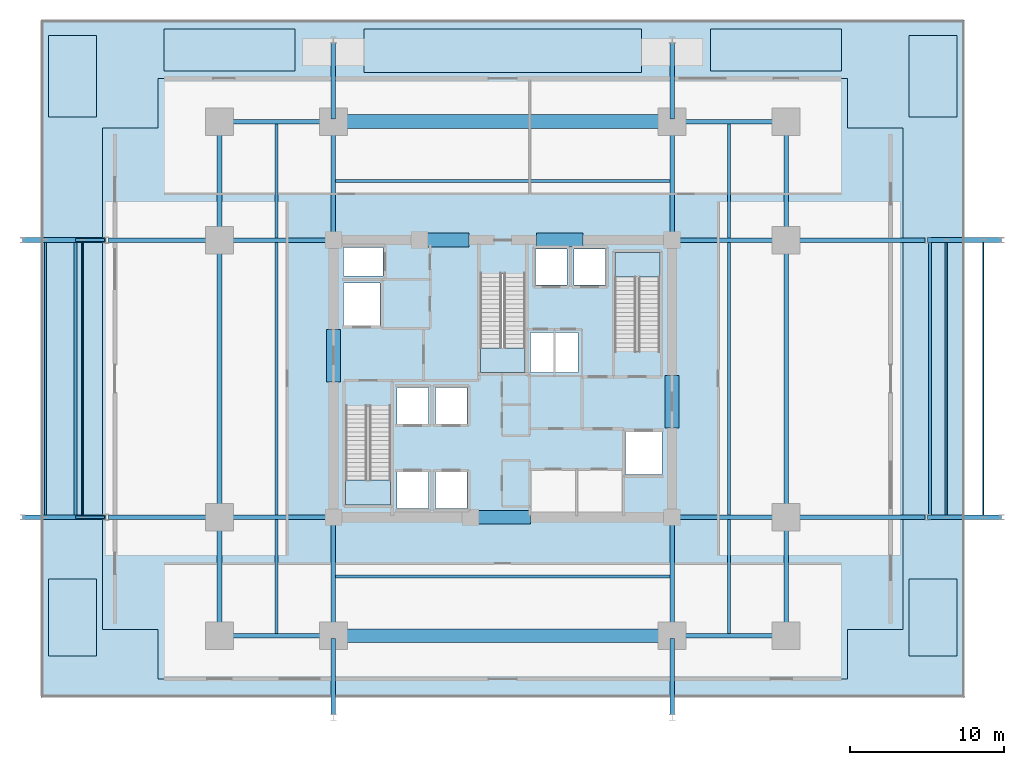
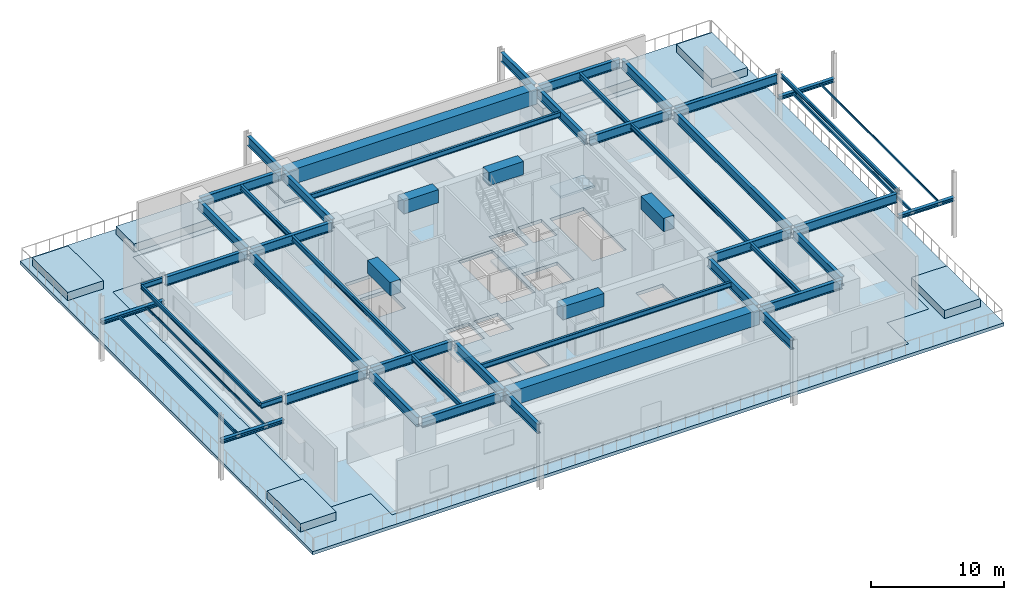
# One storey, part 3 of 14: 45 beams, 12 slabs, 8 members, 3 elements without a shape of their own.
"""IFC4 building model written with IfcOpenShell, lengths in metres."""

from ifc_helpers import new_model, si_unit, direction, frame, origin, origin_2d, place, context, subcontext, project, spatial, polyline, rectangle, hollow_rectangle, i_section, outline, extrude, material, layer, layer_set, material_profile, profile_set, type_object, element, aggregate, save


model = new_model("IFC4")

# Units and contexts
model_context = context("Model", 3, precision=1e-05, world=origin(), true_north=direction((0.0, 1.0)))
body_context = subcontext(model_context, "Body", "Model", "MODEL_VIEW")
ifc_project = project(units=[si_unit("LENGTHUNIT", "METRE"), si_unit("AREAUNIT", "SQUARE_METRE"), si_unit("VOLUMEUNIT", "CUBIC_METRE"), si_unit("PLANEANGLEUNIT", "RADIAN"), si_unit("MASSUNIT", "GRAM", prefix="KILO")], contexts=[model_context])

# Site, building, storey
site_placement = place(None, origin())
site = spatial("IfcSite", under=ifc_project, at=site_placement, CompositionType="ELEMENT")
building_placement = place(site_placement, origin())
building = spatial("IfcBuilding", under=site, at=building_placement, Name="Kovane Verandah Tower", CompositionType="ELEMENT")
storey_placement = place(building_placement, frame((0.0, 0.0, 21.60009765625)))
storey = spatial("IfcBuildingStorey", under=building, at=storey_placement, Name="L04", CompositionType="ELEMENT", Elevation=21.60009765625)

# Beams
ifc_material_1 = material(Name="Concrete C80/95", Category="concrete")
ifc_material_profile_1 = material_profile(ifc_material_1, rectangle(XDim=0.89990234375, YDim=1.199951171875, at=origin_2d()), Name="RCB900x1200")
ifc_profile_set_1 = profile_set([ifc_material_profile_1], Name="Concrete C80/95")
beam_type_1 = type_object("IfcBeamType", Name="BM-LINTEL-900x1200", PredefinedType="LINTEL", material=ifc_profile_set_1)
beam_1_placement = place(storey_placement, frame((38.199951171875, 18.5, 5.159912109375), z_axis=(1.0, 0.0, 0.0), x_axis=(0.0, 1.0, 0.0)))
element("IfcBeam", 1, at=beam_1_placement, inside=storey, type_object=beam_type_1, Name="L04 Core Coupling Lintel CL-S", PredefinedType="LINTEL", context=body_context, shape_type="SweptSolid", body=[
    extrude(rectangle(XDim=0.89990234375, YDim=1.199951171875, at=origin_2d()), origin(), (0.0, 0.0, 1.0), 3.60009765625),
])
for number, where, z_axis, x_axis, name in (
    (2, (34.800048828125, 36.5, 5.159912109375), (1.0, 0.0, 0.0), (0.0, 1.0, 0.0), "L04 Core Coupling Lintel CL-N1"),
    (3, (42.199951171875, 36.5, 5.159912109375), (1.0, 0.0, 0.0), (0.0, 1.0, 0.0), "L04 Core Coupling Lintel CL-N2"),
):
    element("IfcBeam", number, at=place(storey_placement, frame(where, z_axis=z_axis, x_axis=x_axis)), inside=storey, type_object=beam_type_1, Name=name, PredefinedType="LINTEL", context=body_context, shape_type="SweptSolid", body=[
        extrude(rectangle(XDim=0.89990234375, YDim=1.199951171875, at=origin_2d()), origin(), (0.0, 0.0, 1.0), 3.0),
    ])
for number, where, z_axis, x_axis, name in (
    (4, (29.0, 27.300048828125, 5.159912109375), (0.0, 1.0, 0.0), (-1.0, 0.0, 0.0), "L04 Core Coupling Lintel CL-W"),
    (5, (51.0, 24.300048828125, 5.159912109375), (0.0, 1.0, 0.0), (-1.0, 0.0, 0.0), "L04 Core Coupling Lintel CL-E"),
):
    element("IfcBeam", number, at=place(storey_placement, frame(where, z_axis=z_axis, x_axis=x_axis)), inside=storey, type_object=beam_type_1, Name=name, PredefinedType="LINTEL", context=body_context, shape_type="SweptSolid", body=[
        extrude(rectangle(XDim=0.89990234375, YDim=1.199951171875, at=origin_2d()), origin(), (0.0, 0.0, 1.0), 3.39990234375),
    ])
ifc_material_profile_2 = material_profile(ifc_material_1, rectangle(XDim=0.89990234375, YDim=1.35009765625, at=origin_2d()), Name="RCB900x1350")
ifc_profile_set_2 = profile_set([ifc_material_profile_2], Name="Concrete C80/95")
beam_type_2 = type_object("IfcBeamType", Name="BM-TR-900x1350", PredefinedType="BEAM", material=ifc_profile_set_2)
for number, where, z_axis, x_axis, name in (
    (6, (29.179931640625, 44.199951171875, 5.0849609375), (1.0, 0.0, 0.0), (0.0, 1.0, 0.0), "L04 Primary Tower Girder G-RN2"),
    (7, (29.179931640625, 10.800048828125, 5.0849609375), (1.0, 0.0, 0.0), (0.0, 1.0, 0.0), "L04 Primary Tower Girder G-RS2"),
):
    element("IfcBeam", number, at=place(storey_placement, frame(where, z_axis=z_axis, x_axis=x_axis)), inside=storey, type_object=beam_type_2, Name=name, PredefinedType="BEAM", context=body_context, shape_type="SweptSolid", body=[
        extrude(rectangle(XDim=0.89990234375, YDim=1.35009765625, at=origin_2d()), origin(), (0.0, 0.0, 1.0), 21.64013671875),
    ])
ifc_material_2 = material(Name="Steel S355", Category="steel")
ifc_material_profile_3 = material_profile(ifc_material_2, i_section(OverallWidth=0.293701171875, OverallDepth=0.850830078125, WebThickness=0.01611328125, FlangeThickness=0.02685546875, FilletRadius=0.017822265625, at=origin_2d()), Name="UB838x292x226")
ifc_profile_set_3 = profile_set([ifc_material_profile_3], Name="Steel S355")
beam_type_3 = type_object("IfcBeamType", Name="BM-UB838x226", PredefinedType="BEAM", material=ifc_profile_set_3)
for number, where, z_axis, x_axis, name in (
    (8, (21.780029296875, 44.199951171875, 5.33447265625), (1.0, 0.0, 0.0), (0.0, 1.0, 0.0), "L04 Primary Tower Girder G-RN1"),
    (9, (51.179931640625, 44.199951171875, 5.33447265625), (1.0, 0.0, 0.0), (0.0, 1.0, 0.0), "L04 Primary Tower Girder G-RN3"),
    (10, (21.780029296875, 10.800048828125, 5.33447265625), (1.0, 0.0, 0.0), (0.0, 1.0, 0.0), "L04 Primary Tower Girder G-RS1"),
    (11, (51.179931640625, 10.800048828125, 5.33447265625), (1.0, 0.0, 0.0), (0.0, 1.0, 0.0), "L04 Primary Tower Girder G-RS3"),
):
    element("IfcBeam", number, at=place(storey_placement, frame(where, z_axis=z_axis, x_axis=x_axis)), inside=storey, type_object=beam_type_3, Name=name, PredefinedType="BEAM", context=body_context, shape_type="SweptSolid", body=[
        extrude(i_section(OverallWidth=0.293701171875, OverallDepth=0.850830078125, WebThickness=0.01611328125, FlangeThickness=0.02685546875, FilletRadius=0.017822265625, at=origin_2d()), origin(), (0.0, 0.0, 1.0), 7.0400390625),
    ])
beam_2_placement = place(storey_placement, frame((21.60009765625, 10.97998046875, 5.33447265625), z_axis=(0.0, 1.0, 0.0), x_axis=(-1.0, 0.0, 0.0)))
element("IfcBeam", 12, at=beam_2_placement, inside=storey, type_object=beam_type_3, Name="L04 Primary Tower Girder G-RW1", PredefinedType="BEAM", context=body_context, shape_type="SweptSolid", body=[
    extrude(i_section(OverallWidth=0.293701171875, OverallDepth=0.850830078125, WebThickness=0.01611328125, FlangeThickness=0.02685546875, FilletRadius=0.017822265625, at=origin_2d()), origin(), (0.0, 0.0, 1.0), 7.340087890625),
])
beam_3_placement = place(storey_placement, frame((21.60009765625, 18.679931640625, 5.33447265625), z_axis=(0.0, 1.0, 0.0), x_axis=(-1.0, 0.0, 0.0)))
element("IfcBeam", 13, at=beam_3_placement, inside=storey, type_object=beam_type_3, Name="L04 Primary Tower Girder G-RW2", PredefinedType="BEAM", context=body_context, shape_type="SweptSolid", body=[
    extrude(i_section(OverallWidth=0.293701171875, OverallDepth=0.850830078125, WebThickness=0.01611328125, FlangeThickness=0.02685546875, FilletRadius=0.017822265625, at=origin_2d()), origin(), (0.0, 0.0, 1.0), 17.64013671875),
])
for number, where, z_axis, x_axis, name in (
    (14, (21.60009765625, 36.679931640625, 5.33447265625), (0.0, 1.0, 0.0), (-1.0, 0.0, 0.0), "L04 Primary Tower Girder G-RW3"),
    (15, (58.39990234375, 10.97998046875, 5.33447265625), (0.0, 1.0, 0.0), (-1.0, 0.0, 0.0), "L04 Primary Tower Girder G-RE1"),
):
    element("IfcBeam", number, at=place(storey_placement, frame(where, z_axis=z_axis, x_axis=x_axis)), inside=storey, type_object=beam_type_3, Name=name, PredefinedType="BEAM", context=body_context, shape_type="SweptSolid", body=[
        extrude(i_section(OverallWidth=0.293701171875, OverallDepth=0.850830078125, WebThickness=0.01611328125, FlangeThickness=0.02685546875, FilletRadius=0.017822265625, at=origin_2d()), origin(), (0.0, 0.0, 1.0), 7.340087890625),
    ])
beam_4_placement = place(storey_placement, frame((58.39990234375, 18.679931640625, 5.33447265625), z_axis=(0.0, 1.0, 0.0), x_axis=(-1.0, 0.0, 0.0)))
element("IfcBeam", 16, at=beam_4_placement, inside=storey, type_object=beam_type_3, Name="L04 Primary Tower Girder G-RE2", PredefinedType="BEAM", context=body_context, shape_type="SweptSolid", body=[
    extrude(i_section(OverallWidth=0.293701171875, OverallDepth=0.850830078125, WebThickness=0.01611328125, FlangeThickness=0.02685546875, FilletRadius=0.017822265625, at=origin_2d()), origin(), (0.0, 0.0, 1.0), 17.64013671875),
])
beam_5_placement = place(storey_placement, frame((58.39990234375, 36.679931640625, 5.33447265625), z_axis=(0.0, 1.0, 0.0), x_axis=(-1.0, 0.0, 0.0)))
element("IfcBeam", 17, at=beam_5_placement, inside=storey, type_object=beam_type_3, Name="L04 Primary Tower Girder G-RE3", PredefinedType="BEAM", context=body_context, shape_type="SweptSolid", body=[
    extrude(i_section(OverallWidth=0.293701171875, OverallDepth=0.850830078125, WebThickness=0.01611328125, FlangeThickness=0.02685546875, FilletRadius=0.017822265625, at=origin_2d()), origin(), (0.0, 0.0, 1.0), 7.340087890625),
])
for number, where, z_axis, x_axis, name in (
    (18, (28.820068359375, 18.5, 5.33447265625), (-1.0, 0.0, 0.0), (0.0, -1.0, 0.0), "L04 Primary Tower Girder G-W1"),
    (19, (28.820068359375, 36.5, 5.33447265625), (-1.0, 0.0, 0.0), (0.0, -1.0, 0.0), "L04 Primary Tower Girder G-W2"),
    (20, (51.179931640625, 18.5, 5.33447265625), (1.0, 0.0, 0.0), (0.0, 1.0, 0.0), "L04 Primary Tower Girder G-E1"),
    (21, (51.179931640625, 36.5, 5.33447265625), (1.0, 0.0, 0.0), (0.0, 1.0, 0.0), "L04 Primary Tower Girder G-E2"),
):
    element("IfcBeam", number, at=place(storey_placement, frame(where, z_axis=z_axis, x_axis=x_axis)), inside=storey, type_object=beam_type_3, Name=name, PredefinedType="BEAM", context=body_context, shape_type="SweptSolid", body=[
        extrude(i_section(OverallWidth=0.293701171875, OverallDepth=0.850830078125, WebThickness=0.01611328125, FlangeThickness=0.02685546875, FilletRadius=0.017822265625, at=origin_2d()), origin(), (0.0, 0.0, 1.0), 7.0400390625),
    ])
for number, where, z_axis, x_axis, name in (
    (22, (29.0, 18.320068359375, 5.33447265625), (0.0, -1.0, 0.0), (1.0, 0.0, 0.0), "L04 Primary Tower Girder G-S1"),
    (23, (51.0, 18.320068359375, 5.33447265625), (0.0, -1.0, 0.0), (1.0, 0.0, 0.0), "L04 Primary Tower Girder G-S2"),
    (24, (29.0, 36.679931640625, 5.33447265625), (0.0, 1.0, 0.0), (-1.0, 0.0, 0.0), "L04 Primary Tower Girder G-N1"),
    (25, (51.0, 36.679931640625, 5.33447265625), (0.0, 1.0, 0.0), (-1.0, 0.0, 0.0), "L04 Primary Tower Girder G-N2"),
):
    element("IfcBeam", number, at=place(storey_placement, frame(where, z_axis=z_axis, x_axis=x_axis)), inside=storey, type_object=beam_type_3, Name=name, PredefinedType="BEAM", context=body_context, shape_type="SweptSolid", body=[
        extrude(i_section(OverallWidth=0.293701171875, OverallDepth=0.850830078125, WebThickness=0.01611328125, FlangeThickness=0.02685546875, FilletRadius=0.017822265625, at=origin_2d()), origin(), (0.0, 0.0, 1.0), 7.340087890625),
    ])
for number, where, z_axis, x_axis, name in (
    (26, (21.419921875, 18.5, 5.33447265625), (-1.0, 0.0, 0.0), (0.0, -1.0, 0.0), "L04 Primary Tower Girder G-VW1"),
    (27, (21.419921875, 36.5, 5.33447265625), (-1.0, 0.0, 0.0), (0.0, -1.0, 0.0), "L04 Primary Tower Girder G-VW2"),
):
    element("IfcBeam", number, at=place(storey_placement, frame(where, z_axis=z_axis, x_axis=x_axis)), inside=storey, type_object=beam_type_3, Name=name, PredefinedType="BEAM", context=body_context, shape_type="SweptSolid", body=[
        extrude(i_section(OverallWidth=0.293701171875, OverallDepth=0.850830078125, WebThickness=0.01611328125, FlangeThickness=0.02685546875, FilletRadius=0.017822265625, at=origin_2d()), origin(), (0.0, 0.0, 1.0), 7.0400390625),
    ])
for number, where, z_axis, x_axis, name in (
    (28, (58.580078125, 18.5, 5.33447265625), (1.0, 0.0, 0.0), (0.0, 1.0, 0.0), "L04 Primary Tower Girder G-VE1"),
    (29, (58.580078125, 36.5, 5.33447265625), (1.0, 0.0, 0.0), (0.0, 1.0, 0.0), "L04 Primary Tower Girder G-VE2"),
):
    element("IfcBeam", number, at=place(storey_placement, frame(where, z_axis=z_axis, x_axis=x_axis)), inside=storey, type_object=beam_type_3, Name=name, PredefinedType="BEAM", context=body_context, shape_type="SweptSolid", body=[
        extrude(i_section(OverallWidth=0.293701171875, OverallDepth=0.850830078125, WebThickness=0.01611328125, FlangeThickness=0.02685546875, FilletRadius=0.017822265625, at=origin_2d()), origin(), (0.0, 0.0, 1.0), 8.83984375),
    ])
for number, where, z_axis, x_axis, name in (
    (30, (29.0, 10.6201171875, 5.33447265625), (0.0, -1.0, 0.0), (1.0, 0.0, 0.0), "L04 Primary Tower Girder G-VS1"),
    (31, (51.0, 10.6201171875, 5.33447265625), (0.0, -1.0, 0.0), (1.0, 0.0, 0.0), "L04 Primary Tower Girder G-VS2"),
    (32, (29.0, 44.3798828125, 5.33447265625), (0.0, 1.0, 0.0), (-1.0, 0.0, 0.0), "L04 Primary Tower Girder G-VN1"),
    (33, (51.0, 44.3798828125, 5.33447265625), (0.0, 1.0, 0.0), (-1.0, 0.0, 0.0), "L04 Primary Tower Girder G-VN2"),
):
    element("IfcBeam", number, at=place(storey_placement, frame(where, z_axis=z_axis, x_axis=x_axis)), inside=storey, type_object=beam_type_3, Name=name, PredefinedType="BEAM", context=body_context, shape_type="SweptSolid", body=[
        extrude(i_section(OverallWidth=0.293701171875, OverallDepth=0.850830078125, WebThickness=0.01611328125, FlangeThickness=0.02685546875, FilletRadius=0.017822265625, at=origin_2d()), origin(), (0.0, 0.0, 1.0), 4.940185546875),
    ])
ifc_material_profile_4 = material_profile(ifc_material_2, i_section(OverallWidth=0.19287109375, OverallDepth=0.46728515625, WebThickness=0.011474609375, FlangeThickness=0.01953125, FilletRadius=0.01025390625, at=origin_2d()), Name="UB457x191x98")
ifc_profile_set_4 = profile_set([ifc_material_profile_4], Name="Steel S355")
beam_type_4 = type_object("IfcBeamType", Name="JST-UB457x98", PredefinedType="JOIST", material=ifc_profile_set_4)
for number, where, z_axis, x_axis, name in (
    (34, (29.14501953125, 40.35009765625, 5.5263671875), (1.0, 0.0, 0.0), (0.0, 1.0, 0.0), "L04 Secondary Composite Joist J-N1"),
    (35, (29.14501953125, 14.64990234375, 5.5263671875), (1.0, 0.0, 0.0), (0.0, 1.0, 0.0), "L04 Secondary Composite Joist J-S1"),
):
    element("IfcBeam", number, at=place(storey_placement, frame(where, z_axis=z_axis, x_axis=x_axis)), inside=storey, type_object=beam_type_4, Name=name, PredefinedType="JOIST", context=body_context, shape_type="SweptSolid", body=[
        extrude(i_section(OverallWidth=0.19287109375, OverallDepth=0.46728515625, WebThickness=0.011474609375, FlangeThickness=0.01953125, FilletRadius=0.01025390625, at=origin_2d()), origin(), (0.0, 0.0, 1.0), 21.7099609375),
    ])
for number, where, z_axis, x_axis, name in (
    (36, (25.300048828125, 18.64501953125, 5.5263671875), (0.0, 1.0, 0.0), (-1.0, 0.0, 0.0), "L04 Secondary Composite Joist J-W1"),
    (37, (54.699951171875, 18.64501953125, 5.5263671875), (0.0, 1.0, 0.0), (-1.0, 0.0, 0.0), "L04 Secondary Composite Joist J-E1"),
):
    element("IfcBeam", number, at=place(storey_placement, frame(where, z_axis=z_axis, x_axis=x_axis)), inside=storey, type_object=beam_type_4, Name=name, PredefinedType="JOIST", context=body_context, shape_type="SweptSolid", body=[
        extrude(i_section(OverallWidth=0.19287109375, OverallDepth=0.46728515625, WebThickness=0.011474609375, FlangeThickness=0.01953125, FilletRadius=0.01025390625, at=origin_2d()), origin(), (0.0, 0.0, 1.0), 17.7099609375),
    ])
for number, where, z_axis, x_axis, name in (
    (38, (25.300048828125, 10.94482421875, 5.5263671875), (0.0, 1.0, 0.0), (-1.0, 0.0, 0.0), "L04 Secondary Composite Joist J-SW1"),
    (39, (54.699951171875, 10.94482421875, 5.5263671875), (0.0, 1.0, 0.0), (-1.0, 0.0, 0.0), "L04 Secondary Composite Joist J-SE1"),
    (40, (25.300048828125, 36.64501953125, 5.5263671875), (0.0, 1.0, 0.0), (-1.0, 0.0, 0.0), "L04 Secondary Composite Joist J-NW1"),
    (41, (54.699951171875, 36.64501953125, 5.5263671875), (0.0, 1.0, 0.0), (-1.0, 0.0, 0.0), "L04 Secondary Composite Joist J-NE1"),
):
    element("IfcBeam", number, at=place(storey_placement, frame(where, z_axis=z_axis, x_axis=x_axis)), inside=storey, type_object=beam_type_4, Name=name, PredefinedType="JOIST", context=body_context, shape_type="SweptSolid", body=[
        extrude(i_section(OverallWidth=0.19287109375, OverallDepth=0.46728515625, WebThickness=0.011474609375, FlangeThickness=0.01953125, FilletRadius=0.01025390625, at=origin_2d()), origin(), (0.0, 0.0, 1.0), 7.41015625),
    ])
for number, where, z_axis, x_axis, name in (
    (42, (14.1201171875, 18.5, 5.5263671875), (-1.0, 0.0, 0.0), (0.0, -1.0, 0.0), "L04 West Planter Girder 1"),
    (43, (14.1201171875, 36.5, 5.5263671875), (-1.0, 0.0, 0.0), (0.0, -1.0, 0.0), "L04 West Planter Girder 2"),
):
    element("IfcBeam", number, at=place(storey_placement, frame(where, z_axis=z_axis, x_axis=x_axis)), inside=storey, type_object=beam_type_4, Name=name, PredefinedType="JOIST", context=body_context, shape_type="SweptSolid", body=[
        extrude(i_section(OverallWidth=0.19287109375, OverallDepth=0.46728515625, WebThickness=0.011474609375, FlangeThickness=0.01953125, FilletRadius=0.01025390625, at=origin_2d()), origin(), (0.0, 0.0, 1.0), 1.8701171875),
    ])

# Members
ifc_material_profile_5 = material_profile(ifc_material_2, i_section(OverallWidth=0.314453125, OverallDepth=0.33984375, WebThickness=0.01904296875, FlangeThickness=0.031494140625, FilletRadius=0.01513671875, at=origin_2d()), Name="UC305x305x198")
ifc_profile_set_5 = profile_set([ifc_material_profile_5], Name="Steel S355")
member_type_1 = type_object("IfcMemberType", Name="MEM-CHORD-UC198", PredefinedType="CHORD", material=ifc_profile_set_5)
for number, where, z_axis, x_axis, name in (
    (44, (8.800048828125, 18.5, 3.5), (1.0, 0.0, 0.0), (0.0, 1.0, 0.0), "L04 Garden Pergola Chord W1"),
    (45, (8.800048828125, 36.5, 3.5), (1.0, 0.0, 0.0), (0.0, 1.0, 0.0), "L04 Garden Pergola Chord W2"),
):
    element("IfcMember", number, at=place(storey_placement, frame(where, z_axis=z_axis, x_axis=x_axis)), inside=storey, type_object=member_type_1, Name=name, PredefinedType="CHORD", context=body_context, shape_type="SweptSolid", body=[
        extrude(i_section(OverallWidth=0.314453125, OverallDepth=0.33984375, WebThickness=0.01904296875, FlangeThickness=0.031494140625, FilletRadius=0.01513671875, at=origin_2d()), origin(), (0.0, 0.0, 1.0), 5.39990234375),
    ])
for number, where, z_axis, x_axis, name in (
    (46, (67.60009765625, 18.5, 3.5), (1.0, 0.0, 0.0), (0.0, 1.0, 0.0), "L04 Garden Pergola Chord E1"),
    (47, (67.60009765625, 36.5, 3.5), (1.0, 0.0, 0.0), (0.0, 1.0, 0.0), "L04 Garden Pergola Chord E2"),
):
    element("IfcMember", number, at=place(storey_placement, frame(where, z_axis=z_axis, x_axis=x_axis)), inside=storey, type_object=member_type_1, Name=name, PredefinedType="CHORD", context=body_context, shape_type="SweptSolid", body=[
        extrude(i_section(OverallWidth=0.314453125, OverallDepth=0.33984375, WebThickness=0.01904296875, FlangeThickness=0.031494140625, FilletRadius=0.01513671875, at=origin_2d()), origin(), (0.0, 0.0, 1.0), 4.7998046875),
    ])
ifc_material_profile_6 = material_profile(ifc_material_2, hollow_rectangle(XDim=0.10009765625, YDim=0.199951171875, WallThickness=0.008056640625, InnerFilletRadius=0.008056640625, OuterFilletRadius=0.01611328125, at=origin_2d()), Name="RHS200x100x8")
ifc_profile_set_6 = profile_set([ifc_material_profile_6], Name="Steel S355")
member_type_2 = type_object("IfcMemberType", Name="MEM-PUR-RHS200", PredefinedType="PURLIN", material=ifc_profile_set_6)
for number, where, z_axis, x_axis, name in (
    (48, (12.699951171875, 18.5, 3.5), (0.0, 1.0, 0.0), (-1.0, 0.0, 0.0), "L04 Garden Pergola Purlin W2"),
    (49, (71.199951171875, 18.5, 3.5), (0.0, 1.0, 0.0), (-1.0, 0.0, 0.0), "L04 Garden Pergola Purlin E2"),
):
    element("IfcMember", number, at=place(storey_placement, frame(where, z_axis=z_axis, x_axis=x_axis)), inside=storey, type_object=member_type_2, Name=name, PredefinedType="PURLIN", context=body_context, shape_type="SweptSolid", body=[
        extrude(hollow_rectangle(XDim=0.10009765625, YDim=0.199951171875, WallThickness=0.008056640625, InnerFilletRadius=0.008056640625, OuterFilletRadius=0.01611328125, at=origin_2d()), origin(), (0.0, 0.0, 1.0), 18.0),
    ])
ifc_material_profile_7 = material_profile(ifc_material_2, hollow_rectangle(XDim=0.14990234375, YDim=0.25, WallThickness=0.010009765625, InnerFilletRadius=0.010009765625, OuterFilletRadius=0.02001953125, at=origin_2d()), Name="RHS250x150x10")
ifc_profile_set_7 = profile_set([ifc_material_profile_7], Name="Steel S355")
member_type_3 = type_object("IfcMemberType", Name="MEM-PUR-RHS250", PredefinedType="PURLIN", material=ifc_profile_set_7)
for number, where, z_axis, x_axis, name in (
    (50, (10.300048828125, 18.5, 3.5), (0.0, 1.0, 0.0), (-1.0, 0.0, 0.0), "L04 Garden Pergola Purlin W1"),
    (51, (68.800048828125, 18.5, 3.5), (0.0, 1.0, 0.0), (-1.0, 0.0, 0.0), "L04 Garden Pergola Purlin E1"),
):
    element("IfcMember", number, at=place(storey_placement, frame(where, z_axis=z_axis, x_axis=x_axis)), inside=storey, type_object=member_type_3, Name=name, PredefinedType="PURLIN", context=body_context, shape_type="SweptSolid", body=[
        extrude(hollow_rectangle(XDim=0.14990234375, YDim=0.25, WallThickness=0.010009765625, InnerFilletRadius=0.010009765625, OuterFilletRadius=0.02001953125, at=origin_2d()), origin(), (0.0, 0.0, 1.0), 18.0),
    ])

# Beams
ifc_material_profile_8 = material_profile(ifc_material_2, i_section(OverallWidth=0.173095703125, OverallDepth=0.36328125, WebThickness=0.009033203125, FlangeThickness=0.015625, FilletRadius=0.01025390625, at=origin_2d()), Name="UB356x171x67")
ifc_profile_set_8 = profile_set([ifc_material_profile_8], Name="Steel S355")
beam_type_5 = type_object("IfcBeamType", Name="SPD-UB356x67", PredefinedType="USERDEFINED", material=ifc_profile_set_8)
for number, where, z_axis, x_axis, name in (
    (52, (67.75, 18.594482421875, 5.578125), (0.0, 1.0, 0.0), (-1.0, 0.0, 0.0), "L04 East Planter Edge Spandrel"),
    (53, (12.25, 18.594482421875, 5.578125), (0.0, 1.0, 0.0), (-1.0, 0.0, 0.0), "L04 West Planter Edge Spandrel"),
):
    element("IfcBeam", number, at=place(storey_placement, frame(where, z_axis=z_axis, x_axis=x_axis)), inside=storey, type_object=beam_type_5, Name=name, ObjectType="SPANDREL", PredefinedType="USERDEFINED", context=body_context, shape_type="SweptSolid", body=[
        extrude(i_section(OverallWidth=0.173095703125, OverallDepth=0.36328125, WebThickness=0.009033203125, FlangeThickness=0.015625, FilletRadius=0.01025390625, at=origin_2d()), origin(), (0.0, 0.0, 1.0), 17.81103515625),
    ])

# Slabs
ifc_material_3 = material(Name="Concrete C45/55", Category="concrete")
ifc_layer_1 = layer(ifc_material_3, 0.300048828125)
ifc_layer_set_1 = layer_set([ifc_layer_1], Name="Concrete C45/55")
slab_type_1 = type_object("IfcSlabType", Name="SL-GDN-300", PredefinedType="ROOF", material=ifc_layer_set_1)
slab_1_placement = place(storey_placement, frame((0.0, 0.0, -0.300048828125)))
element("IfcSlab", 54, at=slab_1_placement, inside=storey, type_object=slab_type_1, Name="L04 Raised Public Garden Terrace Deck", PredefinedType="ROOF", context=body_context, shape_type="SweptSolid", body=[
    extrude(outline(polyline([(10.0, 6.800048828125), (70.0, 6.800048828125), (70.0, 50.800048828125), (10.0, 50.800048828125), (10.0, 6.800048828125)]), holes=[polyline([(17.60009765625, 11.199951171875), (14.0, 11.199951171875), (14.0, 43.800048828125), (17.60009765625, 43.800048828125), (17.60009765625, 47.0), (62.39990234375, 47.0), (62.39990234375, 43.800048828125), (66.0, 43.800048828125), (66.0, 11.199951171875), (62.39990234375, 11.199951171875), (62.39990234375, 8.0), (17.60009765625, 8.0), (17.60009765625, 11.199951171875)])]), origin(), (0.0, 0.0, 1.0), 0.300048828125),
])
ifc_material_4 = material(Name="Concrete C60/75", Category="concrete")
ifc_layer_2 = layer(ifc_material_4, 0.300048828125)
ifc_layer_set_2 = layer_set([ifc_layer_2], Name="Concrete C60/75")
slab_type_2 = type_object("IfcSlabType", Name="SL-HVY-300", PredefinedType="FLOOR", material=ifc_layer_set_2)
slab_2_placement = place(storey_placement, frame((0.0, 0.0, -0.300048828125)))
element("IfcSlab", 55, at=slab_2_placement, inside=storey, type_object=slab_type_2, Name="L04 Structural Floor Slab", PredefinedType="FLOOR", context=body_context, shape_type="SweptSolid", body=[
    extrude(outline(polyline([(17.60009765625, 8.0), (62.39990234375, 8.0), (62.39990234375, 11.199951171875), (66.0, 11.199951171875), (66.0, 43.800048828125), (62.39990234375, 43.800048828125), (62.39990234375, 47.0), (17.60009765625, 47.0), (17.60009765625, 43.800048828125), (14.0, 43.800048828125), (14.0, 11.199951171875), (17.60009765625, 11.199951171875), (17.60009765625, 8.0)]), holes=[polyline([(29.800048828125, 19.300048828125), (32.719970703125, 19.300048828125), (32.719970703125, 25.705078125), (29.800048828125, 25.705078125), (29.800048828125, 19.300048828125)]), polyline([(47.280029296875, 29.294921875), (50.199951171875, 29.294921875), (50.199951171875, 35.699951171875), (47.280029296875, 35.699951171875), (47.280029296875, 29.294921875)]), polyline([(38.5400390625, 27.89990234375), (41.4599609375, 27.89990234375), (41.4599609375, 34.304931640625), (38.5400390625, 34.304931640625), (38.5400390625, 27.89990234375)]), polyline([(29.669921875, 30.969970703125), (32.030029296875, 30.969970703125), (32.030029296875, 33.72998046875), (29.669921875, 33.72998046875), (29.669921875, 30.969970703125)]), polyline([(47.969970703125, 21.27001953125), (50.330078125, 21.27001953125), (50.330078125, 24.030029296875), (47.969970703125, 24.030029296875), (47.969970703125, 21.27001953125)]), polyline([(29.669921875, 34.169921875), (32.22998046875, 34.169921875), (32.22998046875, 36.030029296875), (29.669921875, 36.030029296875), (29.669921875, 34.169921875)]), polyline([(33.1201171875, 19.070068359375), (35.179931640625, 19.070068359375), (35.179931640625, 21.429931640625), (33.1201171875, 21.429931640625), (33.1201171875, 19.070068359375)]), polyline([(35.6201171875, 19.070068359375), (37.679931640625, 19.070068359375), (37.679931640625, 21.429931640625), (35.6201171875, 21.429931640625), (35.6201171875, 19.070068359375)]), polyline([(33.1201171875, 24.570068359375), (35.179931640625, 24.570068359375), (35.179931640625, 26.929931640625), (33.1201171875, 26.929931640625), (33.1201171875, 24.570068359375)]), polyline([(35.6201171875, 24.570068359375), (37.679931640625, 24.570068359375), (37.679931640625, 26.929931640625), (35.6201171875, 26.929931640625), (35.6201171875, 24.570068359375)]), polyline([(42.1201171875, 33.570068359375), (44.179931640625, 33.570068359375), (44.179931640625, 35.929931640625), (42.1201171875, 35.929931640625), (42.1201171875, 33.570068359375)]), polyline([(44.6201171875, 33.570068359375), (46.679931640625, 33.570068359375), (46.679931640625, 35.929931640625), (44.6201171875, 35.929931640625), (44.6201171875, 33.570068359375)]), polyline([(41.800048828125, 27.89990234375), (44.89990234375, 27.89990234375), (44.89990234375, 30.5), (41.800048828125, 30.5), (41.800048828125, 27.89990234375)])]), origin(), (0.0, 0.0, 1.0), 0.300048828125),
])

# Stair, slab
stair_type = type_object("IfcStairType", Name="ST-CORE-1380", PredefinedType="HALF_TURN_STAIR", material=ifc_material_3)
stair_1_placement = place(storey_placement, origin())
stair_1 = element("IfcStair", 56, at=stair_1_placement, inside=storey, type_object=stair_type, Name="L04 Exit Stair ST-01", PredefinedType="HALF_TURN_STAIR")
ifc_layer_3 = layer(ifc_material_3, 0.199951171875)
ifc_layer_set_3 = layer_set([ifc_layer_3], Name="Concrete C45/55")
slab_type_3 = type_object("IfcSlabType", Name="SL-LAND-200", PredefinedType="LANDING", material=ifc_layer_set_3)
slab_3_placement = place(storey_placement, frame((0.0, 0.0, 2.7998046875)))
slab_3 = element("IfcSlab", 57, at=slab_3_placement, type_object=slab_type_3, Name="ST-01 landing 1", PredefinedType="LANDING", context=body_context, shape_type="SweptSolid", body=[
    extrude(outline(polyline([(29.800048828125, 20.905029296875), (29.800048828125, 19.300048828125), (32.719970703125, 19.300048828125), (32.719970703125, 20.905029296875), (29.800048828125, 20.905029296875)])), origin(), (0.0, 0.0, 1.0), 0.2001953125),
])
aggregate(stair_1, [slab_3])

stair_2_placement = place(storey_placement, origin())
stair_2 = element("IfcStair", 58, at=stair_2_placement, inside=storey, type_object=stair_type, Name="L04 Exit Stair ST-02", PredefinedType="HALF_TURN_STAIR")
slab_4_placement = place(storey_placement, frame((0.0, 0.0, 2.7998046875)))
slab_4 = element("IfcSlab", 59, at=slab_4_placement, type_object=slab_type_3, Name="ST-02 landing 1", PredefinedType="LANDING", context=body_context, shape_type="SweptSolid", body=[
    extrude(outline(polyline([(50.199951171875, 34.094970703125), (50.199951171875, 35.699951171875), (47.280029296875, 35.699951171875), (47.280029296875, 34.094970703125), (50.199951171875, 34.094970703125)])), origin(), (0.0, 0.0, 1.0), 0.2001953125),
])
aggregate(stair_2, [slab_4])

stair_3_placement = place(storey_placement, origin())
stair_3 = element("IfcStair", 60, at=stair_3_placement, inside=storey, type_object=stair_type, Name="L04 Exit Stair ST-03", PredefinedType="HALF_TURN_STAIR")
slab_5_placement = place(storey_placement, frame((0.0, 0.0, 2.7998046875)))
slab_5 = element("IfcSlab", 61, at=slab_5_placement, type_object=slab_type_3, Name="ST-03 landing 1", PredefinedType="LANDING", context=body_context, shape_type="SweptSolid", body=[
    extrude(outline(polyline([(38.5400390625, 29.5048828125), (38.5400390625, 27.89990234375), (41.4599609375, 27.89990234375), (41.4599609375, 29.5048828125), (38.5400390625, 29.5048828125)])), origin(), (0.0, 0.0, 1.0), 0.2001953125),
])
aggregate(stair_3, [slab_5])

# Slabs
ifc_material_5 = material(Name="Granite Stone Paving", Category="masonry")
ifc_layer_4 = layer(ifc_material_5, 0.179931640625)
ifc_layer_set_4 = layer_set([ifc_layer_4], Name="Granite Stone Paving")
slab_type_4 = type_object("IfcSlabType", Name="SL-PAV-180", PredefinedType="USERDEFINED", material=ifc_layer_set_4)
slab_6_placement = place(storey_placement, origin())
element("IfcSlab", 62, at=slab_6_placement, inside=storey, type_object=slab_type_4, Name="L04 Raised Garden Botanical Viewing Stage", ObjectType="PAVING", PredefinedType="USERDEFINED", context=body_context, shape_type="SweptSolid", body=[
    extrude(outline(polyline([(31.0, 47.39990234375), (49.0, 47.39990234375), (49.0, 50.199951171875), (31.0, 50.199951171875), (31.0, 47.39990234375)])), origin(), (0.0, 0.0, 1.0), 0.179931640625),
])
ifc_material_6 = material(Name="Architectural Precast Concrete C45/55 Planter Trough", Category="concrete")
ifc_layer_5 = layer(ifc_material_6, 0.219970703125)
ifc_layer_set_5 = layer_set([ifc_layer_5], Name="Architectural Precast Concrete C45/55 Planter Trough")
slab_type_5 = type_object("IfcSlabType", Name="SL-PLANTER-220", PredefinedType="USERDEFINED", material=ifc_layer_set_5)
slab_7_placement = place(storey_placement, origin())
element("IfcSlab", 63, at=slab_7_placement, inside=storey, type_object=slab_type_5, Name="L04 Raised Public Garden Tree Planter 1", ObjectType="PLANTER", PredefinedType="USERDEFINED", context=body_context, shape_type="SweptSolid", body=[
    extrude(outline(polyline([(10.5, 9.5), (13.60009765625, 9.5), (13.60009765625, 14.5), (10.5, 14.5), (10.5, 9.5)])), origin(), (0.0, 0.0, 1.0), 0.75),
])
slab_8_placement = place(storey_placement, origin())
element("IfcSlab", 64, at=slab_8_placement, inside=storey, type_object=slab_type_5, Name="L04 Raised Public Garden Tree Planter 2", ObjectType="PLANTER", PredefinedType="USERDEFINED", context=body_context, shape_type="SweptSolid", body=[
    extrude(outline(polyline([(66.39990234375, 9.5), (69.5, 9.5), (69.5, 14.5), (66.39990234375, 14.5), (66.39990234375, 9.5)])), origin(), (0.0, 0.0, 1.0), 0.75),
])
slab_9_placement = place(storey_placement, origin())
element("IfcSlab", 65, at=slab_9_placement, inside=storey, type_object=slab_type_5, Name="L04 Raised Public Garden Tree Planter 3", ObjectType="PLANTER", PredefinedType="USERDEFINED", context=body_context, shape_type="SweptSolid", body=[
    extrude(outline(polyline([(10.5, 44.5), (13.60009765625, 44.5), (13.60009765625, 49.800048828125), (10.5, 49.800048828125), (10.5, 44.5)])), origin(), (0.0, 0.0, 1.0), 0.75),
])
slab_10_placement = place(storey_placement, origin())
element("IfcSlab", 66, at=slab_10_placement, inside=storey, type_object=slab_type_5, Name="L04 Raised Public Garden Tree Planter 4", ObjectType="PLANTER", PredefinedType="USERDEFINED", context=body_context, shape_type="SweptSolid", body=[
    extrude(outline(polyline([(66.39990234375, 44.5), (69.5, 44.5), (69.5, 49.800048828125), (66.39990234375, 49.800048828125), (66.39990234375, 44.5)])), origin(), (0.0, 0.0, 1.0), 0.75),
])
slab_11_placement = place(storey_placement, origin())
element("IfcSlab", 67, at=slab_11_placement, inside=storey, type_object=slab_type_5, Name="L04 Raised Public Garden Tree Planter 5", ObjectType="PLANTER", PredefinedType="USERDEFINED", context=body_context, shape_type="SweptSolid", body=[
    extrude(outline(polyline([(18.0, 47.5), (26.5, 47.5), (26.5, 50.199951171875), (18.0, 50.199951171875), (18.0, 47.5)])), origin(), (0.0, 0.0, 1.0), 0.75),
])
slab_12_placement = place(storey_placement, origin())
element("IfcSlab", 68, at=slab_12_placement, inside=storey, type_object=slab_type_5, Name="L04 Raised Public Garden Tree Planter 6", ObjectType="PLANTER", PredefinedType="USERDEFINED", context=body_context, shape_type="SweptSolid", body=[
    extrude(outline(polyline([(53.5, 47.5), (62.0, 47.5), (62.0, 50.199951171875), (53.5, 50.199951171875), (53.5, 47.5)])), origin(), (0.0, 0.0, 1.0), 0.75),
])

save(model, "model.ifc")
